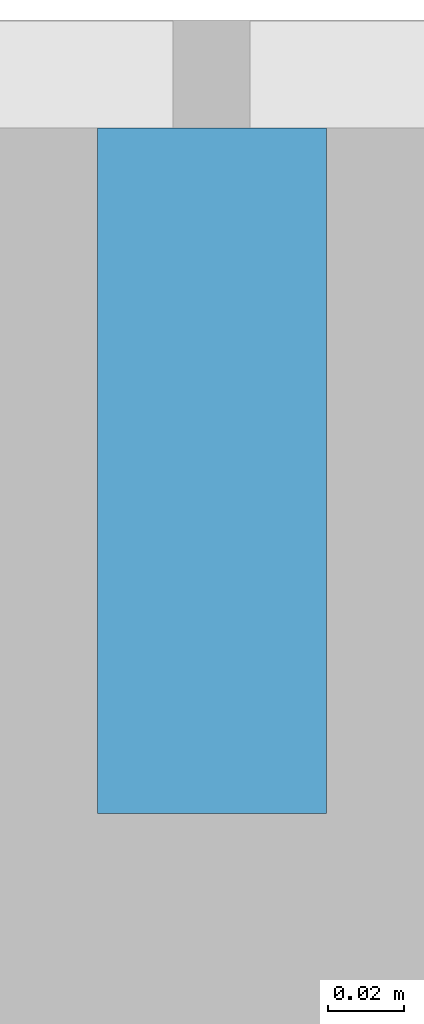
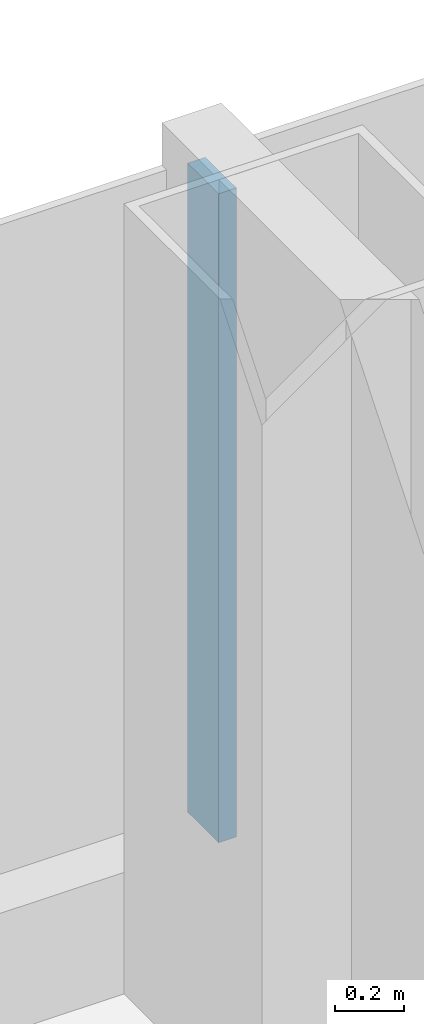
# One storey, part 8 of 29: 1 member, 1 element without a shape of its own.
"""IFC4 building model written with IfcOpenShell, lengths in metres."""

from ifc_helpers import new_model, si_unit, direction, frame, origin, origin_2d, place, context, subcontext, project, spatial, rectangle, extrude, material, layer, layer_set, material_profile, profile_set, type_object, element, aggregate, save


model = new_model("IFC4")

# Units and contexts
model_context = context("Model", 3, precision=1e-05, world=origin(), true_north=direction((0.0, 1.0)))
body_context = subcontext(model_context, "Body", "Model", "MODEL_VIEW")
ifc_project = project(units=[si_unit("LENGTHUNIT", "METRE"), si_unit("AREAUNIT", "SQUARE_METRE"), si_unit("VOLUMEUNIT", "CUBIC_METRE"), si_unit("PLANEANGLEUNIT", "RADIAN"), si_unit("MASSUNIT", "GRAM", prefix="KILO")], contexts=[model_context])

# Site, building, storey
site_placement = place(None, origin())
site = spatial("IfcSite", under=ifc_project, at=site_placement, CompositionType="ELEMENT")
building_placement = place(site_placement, origin())
building = spatial("IfcBuilding", under=site, at=building_placement, Name="Hakoniwa Tower and Hamabe Station Hall", CompositionType="ELEMENT")
storey_placement = place(building_placement, frame((0.0, 0.0, 85.0)))
storey = spatial("IfcBuildingStorey", under=building, at=storey_placement, Name="L23", CompositionType="ELEMENT", Elevation=85.0)

# Curtain wall, member
ifc_material_1 = material(Name="Dark low-e laminated glass", Category="glass")
ifc_layer = layer(ifc_material_1, 0.199951171875)
ifc_layer_set = layer_set([ifc_layer], Name="CW-1 UNITISED GUEST")
curtain_wall_type = type_object("IfcCurtainWallType", Name="CW-1 UNITISED GUEST", PredefinedType="NOTDEFINED", material=ifc_layer_set)
curtain_wall_placement = place(storey_placement, origin())
curtain_wall = element("IfcCurtainWall", 1, at=curtain_wall_placement, inside=storey, type_object=curtain_wall_type, Name="CW-1 curtain wall", PredefinedType="NOTDEFINED")
ifc_material_2 = material(Name="Aluminium 6063-T5 black anodised", Category="aluminium")
ifc_material_profile = material_profile(ifc_material_2, rectangle(XDim=0.06005859375, YDim=0.179931640625, at=origin_2d()), Name="CW-1 MULLION 60X180")
ifc_profile_set = profile_set([ifc_material_profile], Name="Aluminium 6063-T5 black anodised")
member_type = type_object("IfcMemberType", Name="CW-1 MULLION 60X180", PredefinedType="MULLION", material=ifc_profile_set)
member_placement = place(storey_placement, frame((-8.39990234375, 23.431884765625, 0.35009765625), z_axis=(0.0, 0.0, 1.0), x_axis=(-1.0, 0.0, 0.0)))
member = element("IfcMember", 2, at=member_placement, type_object=member_type, Name="CW-1 mullion", PredefinedType="MULLION", context=body_context, shape_type="SweptSolid", body=[
    extrude(rectangle(XDim=0.06005859375, YDim=0.179931640625, at=origin_2d()), origin(), (0.0, 0.0, 1.0), 2.2998046875),
])
aggregate(curtain_wall, [member])

save(model, "model.ifc")
